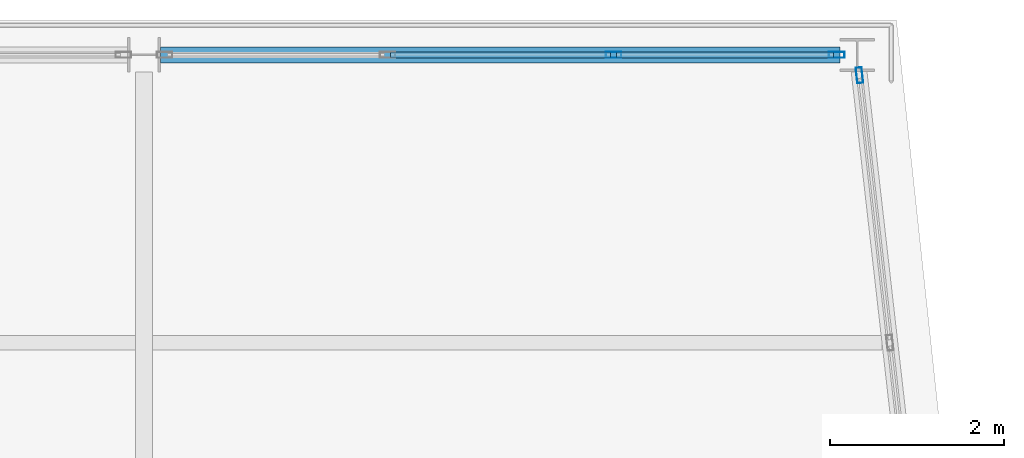
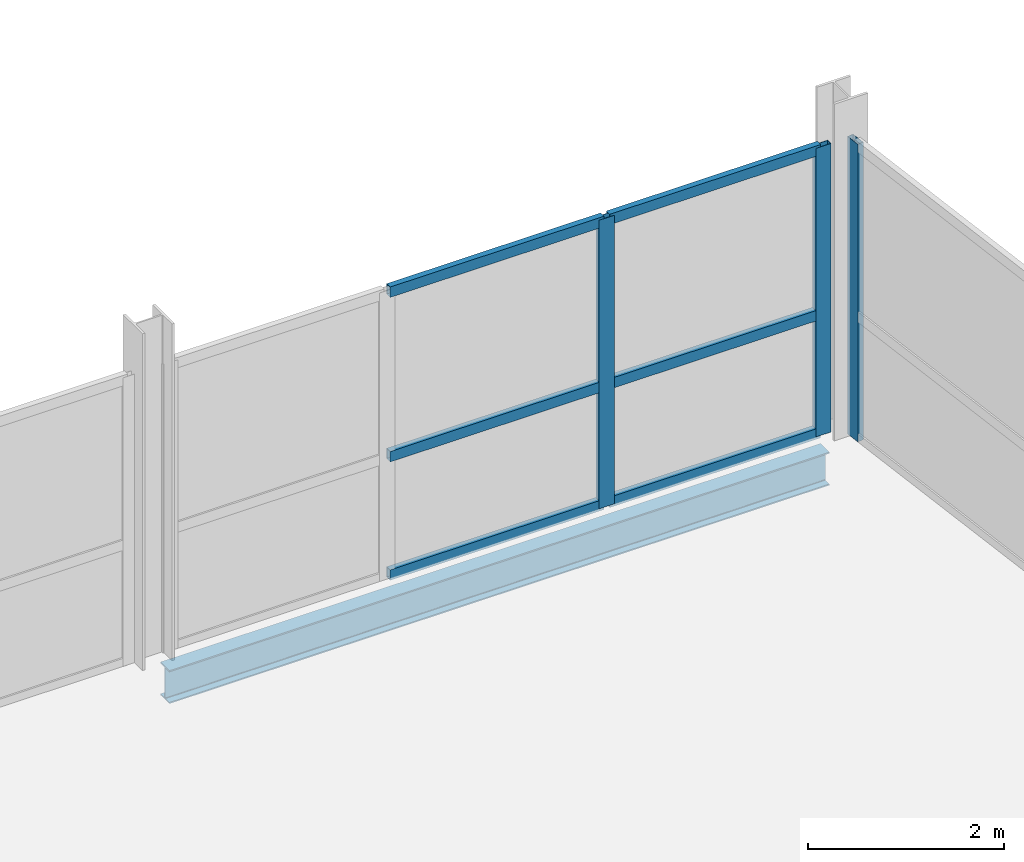
# One storey, part 16 of 36: 9 members, 1 beam, 2 elements without a shape of their own.
"""IFC4 building model written with IfcOpenShell, lengths in metres."""

from ifc_helpers import new_model, si_unit, direction, frame, origin, origin_2d, place, context, subcontext, project, spatial, hollow_rectangle, i_section, extrude, material, layer, layer_set, material_profile, profile_set, type_object, element, aggregate, save


model = new_model("IFC4")

# Units and contexts
model_context = context("Model", 3, precision=1e-05, world=origin(), true_north=direction((0.0, 1.0)))
body_context = subcontext(model_context, "Body", "Model", "MODEL_VIEW")
ifc_project = project(units=[si_unit("LENGTHUNIT", "METRE"), si_unit("AREAUNIT", "SQUARE_METRE"), si_unit("VOLUMEUNIT", "CUBIC_METRE"), si_unit("PLANEANGLEUNIT", "RADIAN"), si_unit("MASSUNIT", "GRAM", prefix="KILO")], contexts=[model_context])

# Site, building, storey
site_placement = place(None, origin())
site = spatial("IfcSite", under=ifc_project, at=site_placement, CompositionType="ELEMENT")
building_placement = place(site_placement, origin())
building = spatial("IfcBuilding", under=site, at=building_placement, Name="Quillay Park Conservatory", CompositionType="ELEMENT")
storey_placement = place(building_placement, frame((0.0, 0.0, 18.300048828125)))
storey = spatial("IfcBuildingStorey", under=building, at=storey_placement, Name="L04", CompositionType="ELEMENT", Elevation=18.300048828125)

# Curtain wall, member
ifc_material_1 = material(Name="Thermally Broken Anodised Aluminium 6063-T6", Category="aluminium")
ifc_layer = layer(ifc_material_1, 0.179931640625)
ifc_layer_set = layer_set([ifc_layer], Name="UNITISED CURTAIN WALL TOWER (Thermally Broken Anodised Aluminium 6063-T6)")
curtain_wall_type = type_object("IfcCurtainWallType", Name="UNITISED CURTAIN WALL TOWER", PredefinedType="USERDEFINED", material=ifc_layer_set)
curtain_wall_1_placement = place(storey_placement, origin())
curtain_wall_1 = element("IfcCurtainWall", 1, at=curtain_wall_1_placement, inside=storey, type_object=curtain_wall_type, Name="L04 Unitised Curtain Wall 044", ObjectType="UNITISED CURTAIN WALL", PredefinedType="USERDEFINED")
ifc_material_2 = material(Name="Thermally Broken Anodised Aluminium 6063-T6", Category="aluminium")
ifc_material_profile_1 = material_profile(ifc_material_2, hollow_rectangle(XDim=0.070068359375, YDim=0.179931640625, WallThickness=0.00390625, at=origin_2d()), Name="AL70x180x4")
ifc_profile_set_1 = profile_set([ifc_material_profile_1], Name="Thermally Broken Anodised Aluminium 6063-T6")
member_type_1 = type_object("IfcMemberType", Name="CURTAIN WALL MULLION 70 X180", PredefinedType="MULLION", material=ifc_profile_set_1)
member_1_placement = place(storey_placement, frame((27.95166015625, 113.16650390625, 0.0), z_axis=(0.0, 0.0, 1.0), x_axis=(0.993605989969, 0.112903218278, 0.0)))
member_1 = element("IfcMember", 2, at=member_1_placement, type_object=member_type_1, Name="CW-T1 mullion 1", PredefinedType="MULLION", context=body_context, shape_type="SweptSolid", body=[
    extrude(hollow_rectangle(XDim=0.070068359375, YDim=0.179931640625, WallThickness=0.00390625, at=origin_2d()), origin(), (0.0, 0.0, 1.0), 3.7119140625),
])
aggregate(curtain_wall_1, [member_1])

# Curtain wall, members
curtain_wall_2_placement = place(storey_placement, origin())
curtain_wall_2 = element("IfcCurtainWall", 3, at=curtain_wall_2_placement, inside=storey, type_object=curtain_wall_type, Name="L04 Unitised Curtain Wall 047", ObjectType="UNITISED CURTAIN WALL", PredefinedType="USERDEFINED")
member_2_placement = place(storey_placement, frame((25.13330078125, 113.39990234375, 0.0), z_axis=(0.0, 0.0, 1.0), x_axis=(0.0, 1.0, 0.0)))
member_2 = element("IfcMember", 4, at=member_2_placement, type_object=member_type_1, Name="CW-T1 mullion 3", PredefinedType="MULLION", context=body_context, shape_type="SweptSolid", body=[
    extrude(hollow_rectangle(XDim=0.070068359375, YDim=0.179931640625, WallThickness=0.00390625, at=origin_2d()), origin(), (0.0, 0.0, 1.0), 3.598876953125),
])
member_3_placement = place(storey_placement, frame((27.68994140625, 113.39990234375, 0.0), z_axis=(0.0, 0.0, 1.0), x_axis=(0.0, 1.0, 0.0)))
member_3 = element("IfcMember", 5, at=member_3_placement, type_object=member_type_1, Name="CW-T1 mullion 4", PredefinedType="MULLION", context=body_context, shape_type="SweptSolid", body=[
    extrude(hollow_rectangle(XDim=0.070068359375, YDim=0.179931640625, WallThickness=0.00390625, at=origin_2d()), origin(), (0.0, 0.0, 1.0), 3.598876953125),
])
ifc_material_3 = material(Name="Thermally Broken Anodised Aluminium 6063-T6", Category="aluminium")
ifc_material_profile_2 = material_profile(ifc_material_3, hollow_rectangle(XDim=0.070068359375, YDim=0.1298828125, WallThickness=0.003173828125, at=origin_2d()), Name="AL70x130x3.2")
ifc_profile_set_2 = profile_set([ifc_material_profile_2], Name="Thermally Broken Anodised Aluminium 6063-T6")
member_type_2 = type_object("IfcMemberType", Name="CURTAIN WALL TRANSOM 70 X130", PredefinedType="USERDEFINED", material=ifc_profile_set_2)
member_4_placement = place(storey_placement, frame((22.57666015625, 113.39990234375, 0.034912109375), z_axis=(1.0, 0.0, 0.0), x_axis=(0.0, 1.0, 0.0)))
member_4 = element("IfcMember", 6, at=member_4_placement, type_object=member_type_2, Name="CW-T1 transom 2.1", ObjectType="TRANSOM", PredefinedType="USERDEFINED", context=body_context, shape_type="SweptSolid", body=[
    extrude(hollow_rectangle(XDim=0.070068359375, YDim=0.1298828125, WallThickness=0.003173828125, at=origin_2d()), origin(), (0.0, 0.0, 1.0), 2.521728515625),
])
member_5_placement = place(storey_placement, frame((22.57666015625, 113.39990234375, 1.511474609375), z_axis=(1.0, 0.0, 0.0), x_axis=(0.0, 1.0, 0.0)))
member_5 = element("IfcMember", 7, at=member_5_placement, type_object=member_type_2, Name="CW-T1 transom 2.2", ObjectType="TRANSOM", PredefinedType="USERDEFINED", context=body_context, shape_type="SweptSolid", body=[
    extrude(hollow_rectangle(XDim=0.070068359375, YDim=0.1298828125, WallThickness=0.003173828125, at=origin_2d()), origin(), (0.0, 0.0, 1.0), 2.521728515625),
])
member_6_placement = place(storey_placement, frame((22.57666015625, 113.39990234375, 3.56396484375), z_axis=(1.0, 0.0, 0.0), x_axis=(0.0, 1.0, 0.0)))
member_6 = element("IfcMember", 8, at=member_6_placement, type_object=member_type_2, Name="CW-T1 transom 2.3", ObjectType="TRANSOM", PredefinedType="USERDEFINED", context=body_context, shape_type="SweptSolid", body=[
    extrude(hollow_rectangle(XDim=0.070068359375, YDim=0.1298828125, WallThickness=0.003173828125, at=origin_2d()), origin(), (0.0, 0.0, 1.0), 2.521728515625),
])
member_7_placement = place(storey_placement, frame((25.168212890625, 113.39990234375, 0.034912109375), z_axis=(1.0, 0.0, 0.0), x_axis=(0.0, 1.0, 0.0)))
member_7 = element("IfcMember", 9, at=member_7_placement, type_object=member_type_2, Name="CW-T1 transom 3.1", ObjectType="TRANSOM", PredefinedType="USERDEFINED", context=body_context, shape_type="SweptSolid", body=[
    extrude(hollow_rectangle(XDim=0.070068359375, YDim=0.1298828125, WallThickness=0.003173828125, at=origin_2d()), origin(), (0.0, 0.0, 1.0), 2.48681640625),
])
member_8_placement = place(storey_placement, frame((25.168212890625, 113.39990234375, 1.511474609375), z_axis=(1.0, 0.0, 0.0), x_axis=(0.0, 1.0, 0.0)))
member_8 = element("IfcMember", 10, at=member_8_placement, type_object=member_type_2, Name="CW-T1 transom 3.2", ObjectType="TRANSOM", PredefinedType="USERDEFINED", context=body_context, shape_type="SweptSolid", body=[
    extrude(hollow_rectangle(XDim=0.070068359375, YDim=0.1298828125, WallThickness=0.003173828125, at=origin_2d()), origin(), (0.0, 0.0, 1.0), 2.48681640625),
])
member_9_placement = place(storey_placement, frame((25.168212890625, 113.39990234375, 3.56396484375), z_axis=(1.0, 0.0, 0.0), x_axis=(0.0, 1.0, 0.0)))
member_9 = element("IfcMember", 11, at=member_9_placement, type_object=member_type_2, Name="CW-T1 transom 3.3", ObjectType="TRANSOM", PredefinedType="USERDEFINED", context=body_context, shape_type="SweptSolid", body=[
    extrude(hollow_rectangle(XDim=0.070068359375, YDim=0.1298828125, WallThickness=0.003173828125, at=origin_2d()), origin(), (0.0, 0.0, 1.0), 2.48681640625),
])
aggregate(curtain_wall_2, [member_2, member_3, member_4, member_5, member_6, member_7, member_8, member_9])

# Beam
ifc_material_4 = material(Name="Steel ASTM A992 Grade 50", Category="steel")
ifc_material_profile_3 = material_profile(ifc_material_4, i_section(OverallWidth=0.179931640625, OverallDepth=0.4130859375, WebThickness=0.009765625, FlangeThickness=0.01611328125, FilletRadius=0.011962890625, at=origin_2d()), Name="W410x74")
ifc_profile_set_3 = profile_set([ifc_material_profile_3], Name="Steel ASTM A992 Grade 50")
beam_type = type_object("IfcBeamType", Name="PERIMETER SPANDREL BEAM W410 X74", PredefinedType="SPANDREL", material=ifc_profile_set_3)
beam_placement = place(storey_placement, frame((19.93994140625, 113.39990234375, -0.406494140625), z_axis=(1.0, 0.0, 0.0), x_axis=(0.0, 1.0, 0.0)))
element("IfcBeam", 12, at=beam_placement, inside=storey, type_object=beam_type, Name="L04 beam BM-SP-0333", PredefinedType="SPANDREL", context=body_context, shape_type="SweptSolid", body=[
    extrude(i_section(OverallWidth=0.179931640625, OverallDepth=0.4130859375, WebThickness=0.009765625, FlangeThickness=0.01611328125, FilletRadius=0.011962890625, at=origin_2d()), origin(), (0.0, 0.0, 1.0), 7.78759765625),
])

save(model, "model.ifc")
